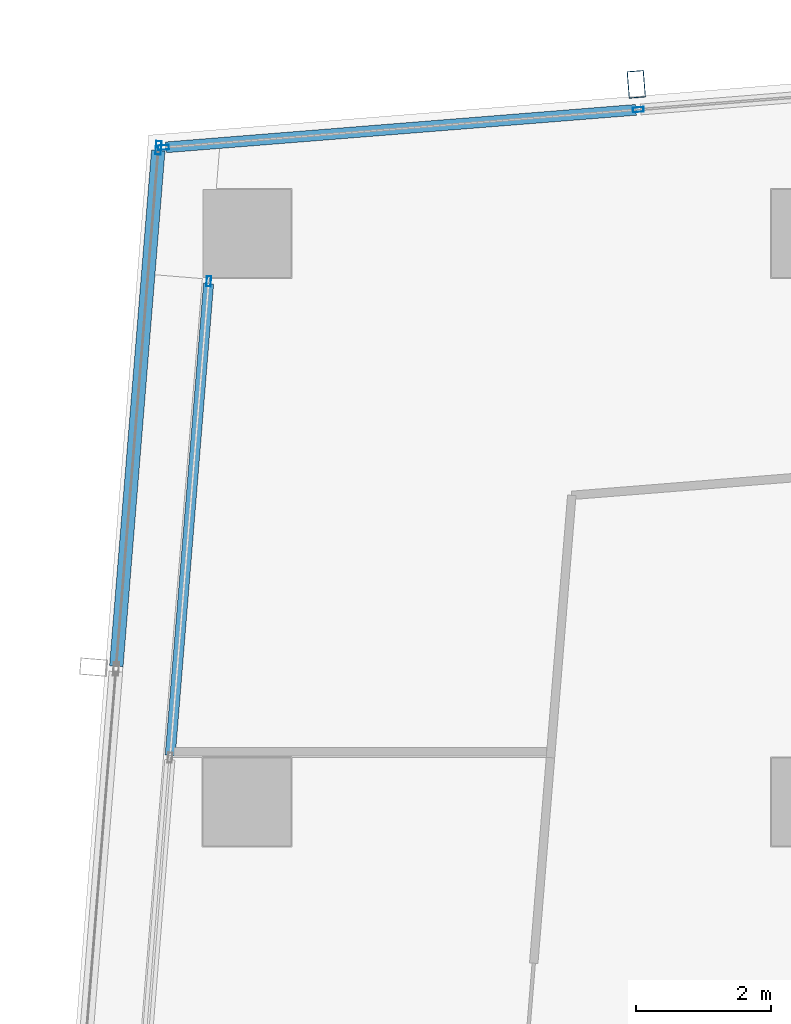
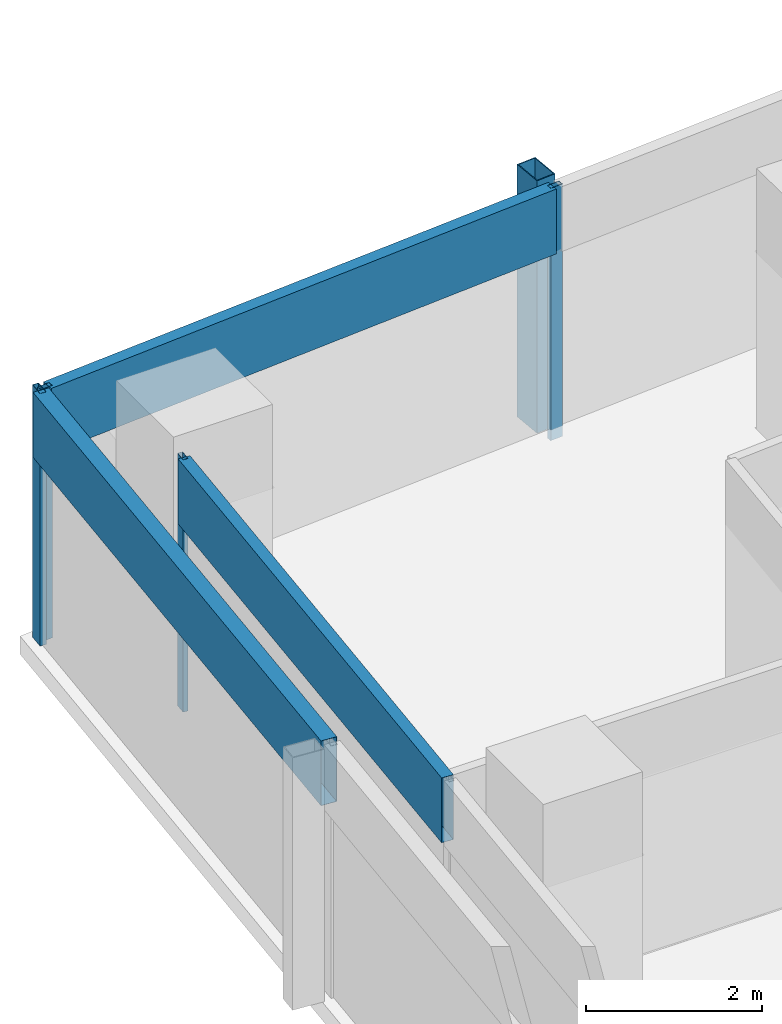
# One storey, part 15 of 30: 8 members, 3 elements without a shape of their own.
"""IFC4 building model written with IfcOpenShell, lengths in metres."""

from ifc_helpers import new_model, si_unit, direction, frame, origin, origin_2d, place, context, subcontext, project, spatial, hollow_rectangle, extrude, material, material_profile, profile_set, type_object, element, aggregate, save


model = new_model("IFC4")

# Units and contexts
model_context = context("Model", 3, precision=1e-05, world=origin(), true_north=direction((0.0, 1.0)))
body_context = subcontext(model_context, "Body", "Model", "MODEL_VIEW")
ifc_project = project(units=[si_unit("LENGTHUNIT", "METRE"), si_unit("AREAUNIT", "SQUARE_METRE"), si_unit("VOLUMEUNIT", "CUBIC_METRE"), si_unit("PLANEANGLEUNIT", "RADIAN"), si_unit("MASSUNIT", "GRAM", prefix="KILO")], contexts=[model_context])

# Site, building, storey
site_placement = place(None, origin())
site = spatial("IfcSite", under=ifc_project, at=site_placement, CompositionType="ELEMENT")
building_placement = place(site_placement, origin())
building = spatial("IfcBuilding", under=site, at=building_placement, Name="Rekha Terrace Tower", CompositionType="ELEMENT")
storey_placement = place(building_placement, frame((0.0, 0.0, 272.60009765625)))
storey = spatial("IfcBuildingStorey", under=building, at=storey_placement, Name="L69", CompositionType="ELEMENT", Elevation=272.60009765625)

# Curtain wall, member
ifc_material_1 = material(Name="Aluminium framing", Category="aluminium")
curtain_wall_type_1 = type_object("IfcCurtainWallType", Name="CW3 north unitised glazing", PredefinedType="USERDEFINED", material=ifc_material_1)
curtain_wall_1_placement = place(storey_placement, origin())
curtain_wall_1 = element("IfcCurtainWall", 1, at=curtain_wall_1_placement, inside=storey, type_object=curtain_wall_type_1, Name="CW3 unitised curtain wall", ObjectType="UNITISED CURTAIN WALL", PredefinedType="USERDEFINED")
ifc_material_2 = material(Name="Steel S355 with fluorocarbon finish", Category="steel")
ifc_material_profile_1 = material_profile(ifc_material_2, hollow_rectangle(XDim=0.25, YDim=0.39990234375, WallThickness=0.012451171875, at=origin_2d()), Name="RHS400x250x12.5")
ifc_profile_set_1 = profile_set([ifc_material_profile_1], Name="Steel S355 with fluorocarbon finish")
member_type_1 = type_object("IfcMemberType", Name="BL1 facade blade RHS 400 x 250", PredefinedType="USERDEFINED", material=ifc_profile_set_1)
member_1_placement = place(storey_placement, frame((14.1513671875, 52.599853515625, 0.0), z_axis=(0.0, 0.0, 1.0), x_axis=(-0.996836012392, -0.079485623849, 0.0)))
member_1 = element("IfcMember", 2, at=member_1_placement, type_object=member_type_1, Name="Facade blade", ObjectType="FACADE BLADE", PredefinedType="USERDEFINED", context=body_context, shape_type="SweptSolid", body=[
    extrude(hollow_rectangle(XDim=0.25, YDim=0.39990234375, WallThickness=0.012451171875, at=origin_2d()), origin(), (0.0, 0.0, 1.0), 3.5),
])

# Curtain wall, members
curtain_wall_type_2 = type_object("IfcCurtainWallType", Name="CW1 double skin inner glazing", PredefinedType="USERDEFINED", material=ifc_material_1)
curtain_wall_2_placement = place(storey_placement, origin())
curtain_wall_2 = element("IfcCurtainWall", 3, at=curtain_wall_2_placement, inside=storey, type_object=curtain_wall_type_2, Name="CW1 double skin inner glazing", ObjectType="DOUBLE SKIN INNER GLAZING", PredefinedType="USERDEFINED")
ifc_material_3 = material(Name="Aluminium mullion section", Category="aluminium")
ifc_material_profile_2 = material_profile(ifc_material_3, hollow_rectangle(XDim=0.06494140625, YDim=0.14990234375, WallThickness=0.00390625, at=origin_2d()), Name="AL RHS 65x150")
ifc_profile_set_2 = profile_set([ifc_material_profile_2], Name="Aluminium mullion section")
member_type_2 = type_object("IfcMemberType", Name="CW1 mullion RHS 65 x 150", PredefinedType="MULLION", material=ifc_profile_set_2)
member_2_placement = place(storey_placement, frame((7.837890625, 49.690185546875, 0.0), z_axis=(0.0, 0.0, 1.0), x_axis=(0.996708580524, -0.081067906781, 0.0)))
member_2 = element("IfcMember", 4, at=member_2_placement, type_object=member_type_2, Name="CW1 mullion 1", PredefinedType="MULLION", context=body_context, shape_type="SweptSolid", body=[
    extrude(hollow_rectangle(XDim=0.06494140625, YDim=0.14990234375, WallThickness=0.00390625, at=origin_2d()), origin(), (0.0, 0.0, 1.0), 3.5),
])
ifc_material_4 = material(Name="Insulated aluminium spandrel box", Category="aluminium")
ifc_material_profile_3 = material_profile(ifc_material_4, hollow_rectangle(XDim=0.14990234375, YDim=0.89990234375, WallThickness=0.0029296875, at=origin_2d()), Name="AL SPANDREL BOX 150x900")
ifc_profile_set_3 = profile_set([ifc_material_profile_3], Name="Insulated aluminium spandrel box")
member_type_3 = type_object("IfcMemberType", Name="CW1 spandrel transom 150 x 900", PredefinedType="USERDEFINED", material=ifc_profile_set_3)
member_3_placement = place(storey_placement, frame((7.835205078125, 49.65771484375, 3.0498046875), z_axis=(-0.081074618383, -0.996708034609, 0.0), x_axis=(0.996708034609, -0.081074618383, 0.0)))
member_3 = element("IfcMember", 5, at=member_3_placement, type_object=member_type_3, Name="CW1 spandrel transom 1", ObjectType="TRANSOM", PredefinedType="USERDEFINED", context=body_context, shape_type="SweptSolid", body=[
    extrude(hollow_rectangle(XDim=0.14990234375, YDim=0.89990234375, WallThickness=0.0029296875, at=origin_2d()), origin(), (0.0, 0.0, 1.0), 6.9921875),
])
aggregate(curtain_wall_2, [member_2, member_3])

curtain_wall_type_3 = type_object("IfcCurtainWallType", Name="CW2 double skin outer glazing", PredefinedType="USERDEFINED", material=ifc_material_1)
curtain_wall_3_placement = place(storey_placement, origin())
curtain_wall_3 = element("IfcCurtainWall", 6, at=curtain_wall_3_placement, inside=storey, type_object=curtain_wall_type_3, Name="CW2 double skin outer glazing", ObjectType="DOUBLE SKIN OUTER GLAZING", PredefinedType="USERDEFINED")
ifc_material_profile_4 = material_profile(ifc_material_3, hollow_rectangle(XDim=0.080078125, YDim=0.199951171875, WallThickness=0.00390625, at=origin_2d()), Name="AL RHS 80x200")
ifc_profile_set_4 = profile_set([ifc_material_profile_4], Name="Aluminium mullion section")
member_type_4 = type_object("IfcMemberType", Name="CW2 mullion RHS 80 x 200", PredefinedType="MULLION", material=ifc_profile_set_4)
member_4_placement = place(storey_placement, frame((7.09521484375, 51.661376953125, 0.0), z_axis=(0.0, 0.0, 1.0), x_axis=(0.996708580521, -0.081067906816, 0.0)))
member_4 = element("IfcMember", 7, at=member_4_placement, type_object=member_type_4, Name="CW2 mullion 1", PredefinedType="MULLION", context=body_context, shape_type="SweptSolid", body=[
    extrude(hollow_rectangle(XDim=0.080078125, YDim=0.199951171875, WallThickness=0.00390625, at=origin_2d()), origin(), (0.0, 0.0, 1.0), 3.5),
])
ifc_material_profile_5 = material_profile(ifc_material_4, hollow_rectangle(XDim=0.199951171875, YDim=0.89990234375, WallThickness=0.0029296875, at=origin_2d()), Name="AL SPANDREL BOX 200x900")
ifc_profile_set_5 = profile_set([ifc_material_profile_5], Name="Insulated aluminium spandrel box")
member_type_5 = type_object("IfcMemberType", Name="CW2 spandrel transom 200 x 900", PredefinedType="USERDEFINED", material=ifc_profile_set_5)
member_5_placement = place(storey_placement, frame((7.092041015625, 51.62158203125, 3.0498046875), z_axis=(-0.081093832935, -0.996706471465, 0.0), x_axis=(0.996706471465, -0.081093832935, 0.0)))
member_5 = element("IfcMember", 8, at=member_5_placement, type_object=member_type_5, Name="CW2 spandrel transom 1", ObjectType="TRANSOM", PredefinedType="USERDEFINED", context=body_context, shape_type="SweptSolid", body=[
    extrude(hollow_rectangle(XDim=0.199951171875, YDim=0.89990234375, WallThickness=0.0029296875, at=origin_2d()), origin(), (0.0, 0.0, 1.0), 7.640869140625),
])
aggregate(curtain_wall_3, [member_4, member_5])

# Member
ifc_material_profile_6 = material_profile(ifc_material_3, hollow_rectangle(XDim=0.070068359375, YDim=0.159912109375, WallThickness=0.00390625, at=origin_2d()), Name="AL RHS 70x160")
ifc_profile_set_6 = profile_set([ifc_material_profile_6], Name="Aluminium mullion section")
member_type_6 = type_object("IfcMemberType", Name="CW3 mullion RHS 70 x 160", PredefinedType="MULLION", material=ifc_profile_set_6)
member_6_placement = place(storey_placement, frame((14.18115234375, 52.22607421875, 0.0), z_axis=(0.0, 0.0, 1.0), x_axis=(0.07948505154, -0.996836058026, 0.0)))
member_6 = element("IfcMember", 9, at=member_6_placement, type_object=member_type_6, Name="CW3 mullion 3", PredefinedType="MULLION", context=body_context, shape_type="SweptSolid", body=[
    extrude(hollow_rectangle(XDim=0.070068359375, YDim=0.159912109375, WallThickness=0.00390625, at=origin_2d()), origin(), (0.0, 0.0, 1.0), 3.5),
])

member_7_placement = place(storey_placement, frame((7.17041015625, 51.6669921875, 0.0), z_axis=(0.0, 0.0, 1.0), x_axis=(0.07948505154, -0.996836058026, 0.0)))
member_7 = element("IfcMember", 10, at=member_7_placement, type_object=member_type_6, Name="CW3 mullion 4", PredefinedType="MULLION", context=body_context, shape_type="SweptSolid", body=[
    extrude(hollow_rectangle(XDim=0.070068359375, YDim=0.159912109375, WallThickness=0.00390625, at=origin_2d()), origin(), (0.0, 0.0, 1.0), 3.5),
])

ifc_material_profile_7 = material_profile(ifc_material_4, hollow_rectangle(XDim=0.159912109375, YDim=0.89990234375, WallThickness=0.0029296875, at=origin_2d()), Name="AL SPANDREL BOX 160x900")
ifc_profile_set_7 = profile_set([ifc_material_profile_7], Name="Insulated aluminium spandrel box")
member_type_7 = type_object("IfcMemberType", Name="CW3 spandrel transom 160 x 900", PredefinedType="USERDEFINED", material=ifc_profile_set_7)
member_8_placement = place(storey_placement, frame((14.146240234375, 52.22314453125, 3.0498046875), z_axis=(-0.996835870382, -0.079487404789, 0.0), x_axis=(0.079487404789, -0.996835870382, 0.0)))
member_8 = element("IfcMember", 11, at=member_8_placement, type_object=member_type_7, Name="CW3 spandrel transom 3", ObjectType="TRANSOM", PredefinedType="USERDEFINED", context=body_context, shape_type="SweptSolid", body=[
    extrude(hollow_rectangle(XDim=0.159912109375, YDim=0.89990234375, WallThickness=0.0029296875, at=origin_2d()), origin(), (0.0, 0.0, 1.0), 6.962890625),
])

aggregate(curtain_wall_1, [member_6, member_7, member_8, member_1])

save(model, "model.ifc")
